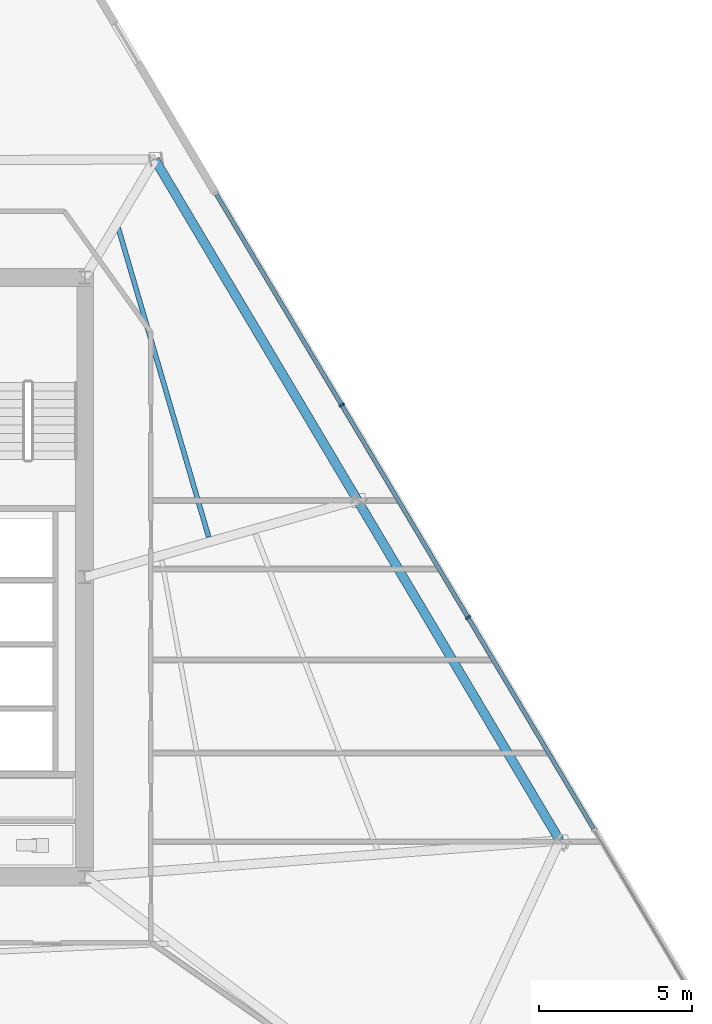
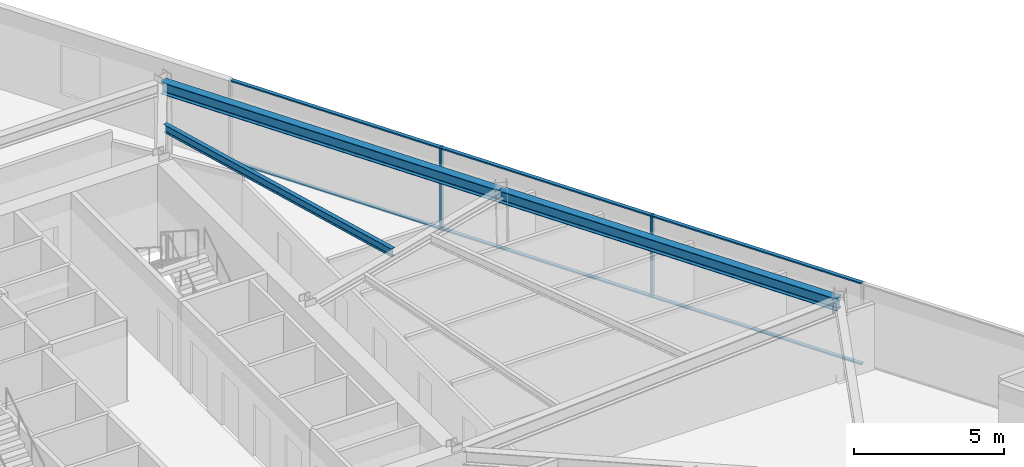
# One storey, part 5 of 15: 8 members, 3 beams, 1 element without a shape of its own.
"""IFC4 building model written with IfcOpenShell, lengths in metres."""

from ifc_helpers import new_model, si_unit, direction, frame, origin, origin_2d, place, context, subcontext, project, spatial, rectangle, i_section, extrude, material, material_profile, profile_set, type_object, element, aggregate, save


model = new_model("IFC4")

# Units and contexts
model_context = context("Model", 3, precision=1e-05, world=origin(), true_north=direction((0.0, 1.0)))
body_context = subcontext(model_context, "Body", "Model", "MODEL_VIEW")
ifc_project = project(units=[si_unit("LENGTHUNIT", "METRE"), si_unit("AREAUNIT", "SQUARE_METRE"), si_unit("VOLUMEUNIT", "CUBIC_METRE"), si_unit("PLANEANGLEUNIT", "RADIAN"), si_unit("MASSUNIT", "GRAM", prefix="KILO")], contexts=[model_context])

# Site, building, storey
site_placement = place(None, origin())
site = spatial("IfcSite", under=ifc_project, at=site_placement, CompositionType="ELEMENT")
building_placement = place(site_placement, origin())
building = spatial("IfcBuilding", under=site, at=building_placement, Name="Savorim Split Tower", CompositionType="ELEMENT")
storey_placement = place(building_placement, frame((0.0, 0.0, 100.5)))
storey = spatial("IfcBuildingStorey", under=building, at=storey_placement, Name="L26", CompositionType="ELEMENT", Elevation=100.5)

# Beams
ifc_material_1 = material(Name="Steel S355", Category="steel")
ifc_material_profile_1 = material_profile(ifc_material_1, i_section(OverallWidth=0.159912109375, OverallDepth=0.330078125, WebThickness=0.007568359375, FlangeThickness=0.011474609375, FilletRadius=0.01806640625, at=origin_2d()), Name="IPE 330")
ifc_profile_set_1 = profile_set([ifc_material_profile_1], Name="Steel S355")
beam_type_1 = type_object("IfcBeamType", Name="BM-JST-IPE330", PredefinedType="JOIST", material=ifc_profile_set_1)
beam_1_placement = place(storey_placement, frame((11.758056640625, 1.71435546875, 3.18505859375), z_axis=(-0.280696132533, 0.959796687419, 0.0), x_axis=(-0.959796687419, -0.280696132533, 0.0)))
element("IfcBeam", 1, at=beam_1_placement, inside=storey, type_object=beam_type_1, Name="L26 Secondary Floor Joist JS-07", PredefinedType="JOIST", context=body_context, shape_type="SweptSolid", body=[
    extrude(i_section(OverallWidth=0.159912109375, OverallDepth=0.330078125, WebThickness=0.007568359375, FlangeThickness=0.011474609375, FilletRadius=0.01806640625, at=origin_2d()), origin(), (0.0, 0.0, 1.0), 10.5302734375),
])
ifc_material_profile_2 = material_profile(ifc_material_1, i_section(OverallWidth=0.300048828125, OverallDepth=0.489990234375, WebThickness=0.011962890625, FlangeThickness=0.02294921875, FilletRadius=0.027099609375, at=origin_2d()), Name="HEA 500")
ifc_profile_set_2 = profile_set([ifc_material_profile_2], Name="Steel S355")
beam_type_2 = type_object("IfcBeamType", Name="BM-SPN-HEA500", PredefinedType="SPANDREL", material=ifc_profile_set_2)
beam_2_placement = place(storey_placement, frame((23.240478515625, -8.211181640625, 3.10498046875), z_axis=(-0.511099476311, 0.859521567684, 0.0), x_axis=(-0.859521567684, -0.511099476311, 0.0)))
element("IfcBeam", 2, at=beam_2_placement, inside=storey, type_object=beam_type_2, Name="L26 Perimeter Spandrel Beam 5", PredefinedType="SPANDREL", context=body_context, shape_type="SweptSolid", body=[
    extrude(i_section(OverallWidth=0.300048828125, OverallDepth=0.489990234375, WebThickness=0.011962890625, FlangeThickness=0.02294921875, FilletRadius=0.027099609375, at=origin_2d()), origin(), (0.0, 0.0, 1.0), 12.95458984375),
])
beam_3_placement = place(storey_placement, frame((16.619384765625, 2.923583984375, 3.10498046875), z_axis=(-0.511107755423, 0.859516644601, 0.0), x_axis=(-0.859516644601, -0.511107755423, 0.0)))
element("IfcBeam", 3, at=beam_3_placement, inside=storey, type_object=beam_type_2, Name="L26 Perimeter Spandrel Beam 6", PredefinedType="SPANDREL", context=body_context, shape_type="SweptSolid", body=[
    extrude(i_section(OverallWidth=0.300048828125, OverallDepth=0.489990234375, WebThickness=0.011962890625, FlangeThickness=0.02294921875, FilletRadius=0.027099609375, at=origin_2d()), origin(), (0.0, 0.0, 1.0), 12.954345703125),
])

# Curtain wall, members
ifc_material_2 = material(Name="Dark Ceramic-Fritted Insulated Glass", Category="glass")
curtain_wall_type = type_object("IfcCurtainWallType", Name="CW-TWR-FRIT-A", PredefinedType="NOTDEFINED", material=ifc_material_2)
curtain_wall_placement = place(storey_placement, origin())
curtain_wall = element("IfcCurtainWall", 4, at=curtain_wall_placement, inside=storey, type_object=curtain_wall_type, Name="L26 Curtain Wall CW-L26-EAST", PredefinedType="NOTDEFINED")
ifc_material_3 = material(Name="Charcoal Anodised Aluminium", Category="aluminium")
ifc_material_profile_3 = material_profile(ifc_material_3, rectangle(XDim=0.179931640625, YDim=0.06494140625, at=origin_2d()), Name="ALU-M 180x65")
ifc_profile_set_3 = profile_set([ifc_material_profile_3], Name="Charcoal Anodised Aluminium")
member_type_1 = type_object("IfcMemberType", Name="CWM-180x65", PredefinedType="MULLION", material=ifc_profile_set_3)
member_1_placement = place(storey_placement, frame((20.23681640625, -0.91845703125, 0.0), z_axis=(0.0, 0.0, 1.0), x_axis=(-0.859524537852, -0.511094481315, 0.0)))
member_1 = element("IfcMember", 5, at=member_1_placement, type_object=member_type_1, Name="CW-02 mullion 3", PredefinedType="MULLION", context=body_context, shape_type="SweptSolid", body=[
    extrude(rectangle(XDim=0.179931640625, YDim=0.06494140625, at=origin_2d()), origin(), (0.0, 0.0, 1.0), 3.35009765625),
])
member_2_placement = place(storey_placement, frame((16.106689453125, 6.027099609375, 0.0), z_axis=(0.0, 0.0, 1.0), x_axis=(-0.859524537852, -0.511094481315, 0.0)))
member_2 = element("IfcMember", 6, at=member_2_placement, type_object=member_type_1, Name="CW-02 mullion 4", PredefinedType="MULLION", context=body_context, shape_type="SweptSolid", body=[
    extrude(rectangle(XDim=0.179931640625, YDim=0.06494140625, at=origin_2d()), origin(), (0.0, 0.0, 1.0), 3.35009765625),
])
ifc_material_profile_4 = material_profile(ifc_material_3, rectangle(XDim=0.139892578125, YDim=0.054931640625, at=origin_2d()), Name="ALU-T 140x55")
ifc_profile_set_4 = profile_set([ifc_material_profile_4], Name="Charcoal Anodised Aluminium")
member_type_2 = type_object("IfcMemberType", Name="CWT-140x55", PredefinedType="USERDEFINED", material=ifc_profile_set_4)
member_3_placement = place(storey_placement, frame((24.35009765625, -7.836181640625, 0.027587890625), z_axis=(-0.511074176555, 0.859536611238, 0.0), x_axis=(-0.859536611238, -0.511074176555, 0.0)))
member_3 = element("IfcMember", 7, at=member_3_placement, type_object=member_type_2, Name="CW-02 transom 2.1", ObjectType="TRANSOM", PredefinedType="USERDEFINED", context=body_context, shape_type="SweptSolid", body=[
    extrude(rectangle(XDim=0.139892578125, YDim=0.054931640625, at=origin_2d()), origin(), (0.0, 0.0, 1.0), 8.015869140625),
])
member_4_placement = place(storey_placement, frame((24.35009765625, -7.836181640625, 3.322509765625), z_axis=(-0.511074176555, 0.859536611238, 0.0), x_axis=(-0.859536611238, -0.511074176555, 0.0)))
member_4 = element("IfcMember", 8, at=member_4_placement, type_object=member_type_2, Name="CW-02 transom 2.2", ObjectType="TRANSOM", PredefinedType="USERDEFINED", context=body_context, shape_type="SweptSolid", body=[
    extrude(rectangle(XDim=0.139892578125, YDim=0.054931640625, at=origin_2d()), origin(), (0.0, 0.0, 1.0), 8.015869140625),
])
member_5_placement = place(storey_placement, frame((20.22021484375, -0.890380859375, 0.027587890625), z_axis=(-0.511110057984, 0.859515275389, 0.0), x_axis=(-0.859515275389, -0.511110057984, 0.0)))
member_5 = element("IfcMember", 9, at=member_5_placement, type_object=member_type_2, Name="CW-02 transom 3.1", ObjectType="TRANSOM", PredefinedType="USERDEFINED", context=body_context, shape_type="SweptSolid", body=[
    extrude(rectangle(XDim=0.139892578125, YDim=0.054931640625, at=origin_2d()), origin(), (0.0, 0.0, 1.0), 8.015625),
])
member_6_placement = place(storey_placement, frame((20.22021484375, -0.890380859375, 3.322509765625), z_axis=(-0.511110057984, 0.859515275389, 0.0), x_axis=(-0.859515275389, -0.511110057984, 0.0)))
member_6 = element("IfcMember", 10, at=member_6_placement, type_object=member_type_2, Name="CW-02 transom 3.2", ObjectType="TRANSOM", PredefinedType="USERDEFINED", context=body_context, shape_type="SweptSolid", body=[
    extrude(rectangle(XDim=0.139892578125, YDim=0.054931640625, at=origin_2d()), origin(), (0.0, 0.0, 1.0), 8.015625),
])
member_7_placement = place(storey_placement, frame((16.090087890625, 6.05517578125, 0.027587890625), z_axis=(-0.511082720603, 0.859531530952, 0.0), x_axis=(-0.859531530952, -0.511082720603, 0.0)))
member_7 = element("IfcMember", 11, at=member_7_placement, type_object=member_type_2, Name="CW-02 transom 4.1", ObjectType="TRANSOM", PredefinedType="USERDEFINED", context=body_context, shape_type="SweptSolid", body=[
    extrude(rectangle(XDim=0.139892578125, YDim=0.054931640625, at=origin_2d()), origin(), (0.0, 0.0, 1.0), 7.983154296875),
])
member_8_placement = place(storey_placement, frame((16.090087890625, 6.05517578125, 3.322509765625), z_axis=(-0.511082720603, 0.859531530952, 0.0), x_axis=(-0.859531530952, -0.511082720603, 0.0)))
member_8 = element("IfcMember", 12, at=member_8_placement, type_object=member_type_2, Name="CW-02 transom 4.2", ObjectType="TRANSOM", PredefinedType="USERDEFINED", context=body_context, shape_type="SweptSolid", body=[
    extrude(rectangle(XDim=0.139892578125, YDim=0.054931640625, at=origin_2d()), origin(), (0.0, 0.0, 1.0), 7.983154296875),
])
aggregate(curtain_wall, [member_1, member_2, member_3, member_4, member_5, member_6, member_7, member_8])

save(model, "model.ifc")
